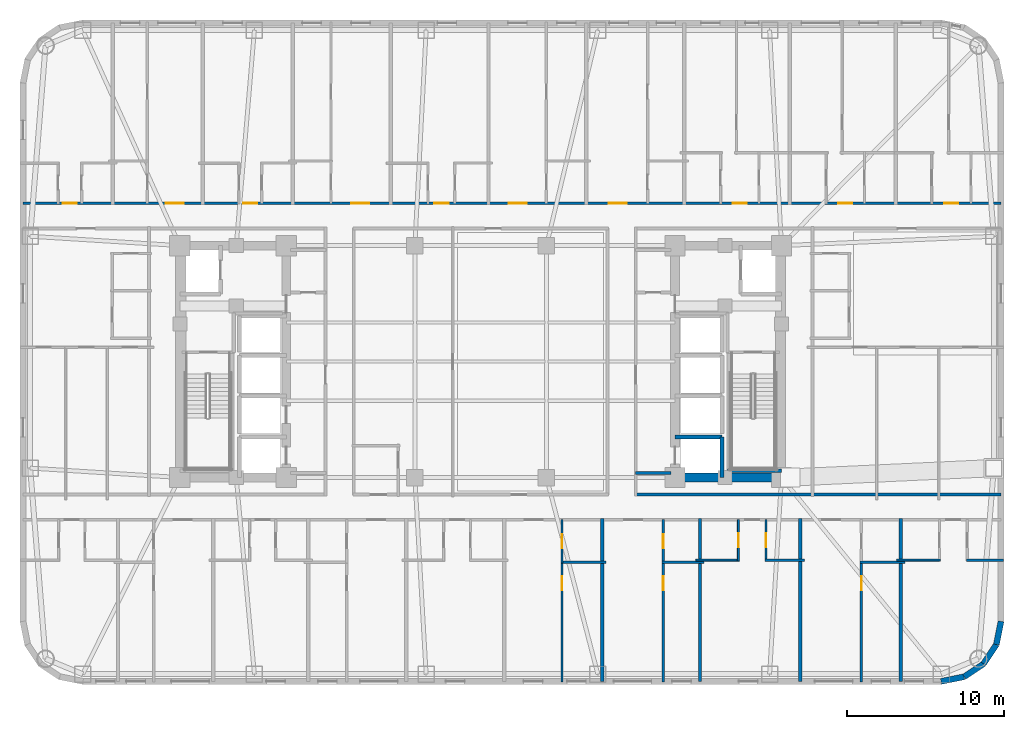
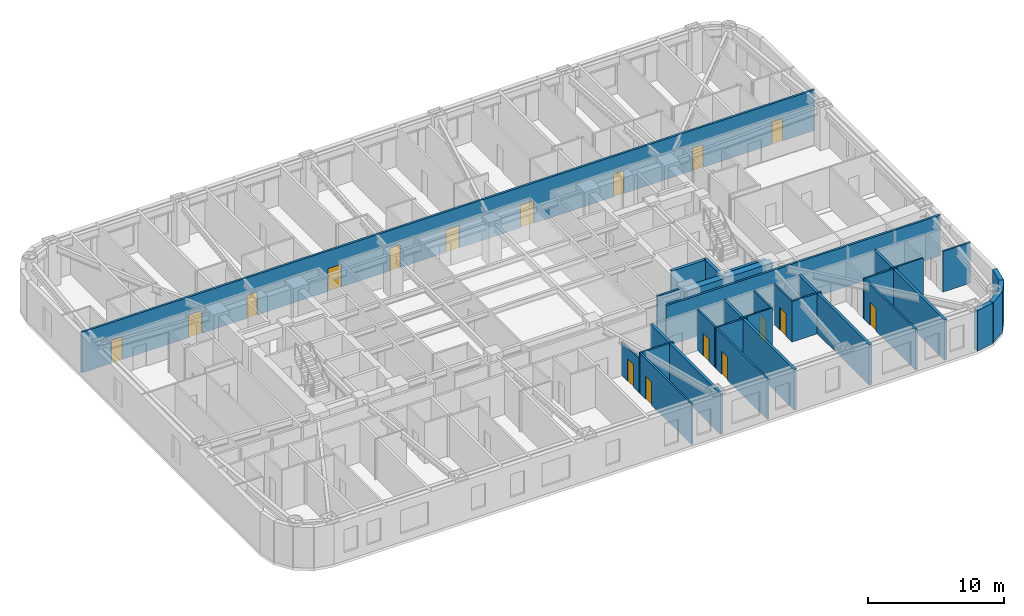
# One storey, part 6 of 13: 29 walls, 17 doors, 17 openings.
"""IFC4 building model written with IfcOpenShell, lengths in metres."""

import ifcopenshell
import ifcopenshell.guid

model = None  # the IFC model being written
_history = None  # IfcOwnerHistory: only IFC2X3 demands one
_inside = {}  # id of a spatial element -> (the spatial element, [elements in it])
_under = {}  # id of a project, library or spatial element -> (it, [spatial elements below it])
_declared = {}  # id of a project -> (the project, [libraries it declares])
_typed = {}  # id of a type object -> (the type object, [elements of that type])
_made_of = {}  # id of a material, layer set ... -> (it, [elements and type objects made of it])


def new_model(schema):
    """Start an empty IFC model of exactly this schema.

    Asked for "IFC4X3", IfcOpenShell would pick the latest addendum, in which some entities
    have other attributes; the version numbers below select the first issue.
    IFC2X3 requires an IfcOwnerHistory on every rooted entity: one is made here for all.
    """
    global model, _history
    if schema == "IFC4X3":
        model = ifcopenshell.file(schema_version=(4, 3, 0, 0))
    else:
        model = ifcopenshell.file(schema=schema)
    _inside.clear()
    _under.clear()
    _declared.clear()
    _typed.clear()
    _made_of.clear()
    _history = None
    if model.schema == "IFC2X3":
        org = make("IfcOrganization", Name="unknown")
        user = make(
            "IfcPersonAndOrganization",
            ThePerson=make("IfcPerson", FamilyName="unknown"),
            TheOrganization=org,
        )
        app = make(
            "IfcApplication",
            ApplicationDeveloper=org,
            Version="unknown",
            ApplicationFullName="unknown",
            ApplicationIdentifier="unknown",
        )
        _history = make(
            "IfcOwnerHistory",
            OwningUser=user,
            OwningApplication=app,
            ChangeAction="ADDED",
            CreationDate=0,
        )
    return model


def make(cls, **values):
    """One entity of the class cls with the attributes given. An attribute that is None is left unset."""
    return model.create_entity(
        cls, **{name: value for name, value in values.items() if value is not None}
    )


def rooted(cls, **values):
    """An entity with a GlobalId (a new one), such as an element, a storey or a relation."""
    return make(cls, GlobalId=ifcopenshell.guid.new(), OwnerHistory=_history, **values)


def si_unit(unit_type, name, prefix=None):
    """IfcSIUnit, for example si_unit("LENGTHUNIT", "METRE", prefix="MILLI")."""
    return make("IfcSIUnit", UnitType=unit_type, Prefix=prefix, Name=name)


def assignment(units):
    """IfcUnitAssignment: the units of a project."""
    return None if units is None else make("IfcUnitAssignment", Units=units)


def point(xyz):
    """IfcCartesianPoint."""
    return None if xyz is None else make("IfcCartesianPoint", Coordinates=xyz)


def direction(xyz):
    """IfcDirection."""
    return None if xyz is None else make("IfcDirection", DirectionRatios=xyz)


def frame(location, z_axis=None, x_axis=None):
    """IfcAxis2Placement3D, a coordinate frame: its origin and axes. An axis left out is left unset."""
    return make(
        "IfcAxis2Placement3D",
        Location=point(location),
        Axis=direction(z_axis),
        RefDirection=direction(x_axis),
    )


def frame_2d(location, x_axis=None):
    """IfcAxis2Placement2D, a coordinate frame in the plane: its origin and x axis."""
    return make(
        "IfcAxis2Placement2D", Location=point(location), RefDirection=direction(x_axis)
    )


def origin():
    """The frame at (0, 0, 0) with its axes left unset."""
    return frame((0.0, 0.0, 0.0))


def place(relative_to, where):
    """IfcLocalPlacement: puts the frame where relative to a parent placement (None: the world)."""
    return make(
        "IfcLocalPlacement", PlacementRelTo=relative_to, RelativePlacement=where
    )


def context(
    kind, dimensions, precision=None, world=None, true_north=None, identifier=None
):
    """IfcGeometricRepresentationContext, for example the 3D "Model" context."""
    return make(
        "IfcGeometricRepresentationContext",
        ContextIdentifier=identifier,
        ContextType=kind,
        CoordinateSpaceDimension=dimensions,
        Precision=precision,
        WorldCoordinateSystem=world,
        TrueNorth=true_north,
    )


def subcontext(parent, identifier, kind, view, scale=None):
    """IfcGeometricRepresentationSubContext, for example "Body" below "Model"."""
    return make(
        "IfcGeometricRepresentationSubContext",
        ContextIdentifier=identifier,
        ContextType=kind,
        ParentContext=parent,
        TargetScale=scale,
        TargetView=view,
    )


def project(units=None, contexts=None):
    """IfcProject with its units and contexts."""
    return rooted(
        "IfcProject",
        Name="project",
        RepresentationContexts=contexts,
        UnitsInContext=assignment(units),
    )


def spatial(cls, under=None, at=None, **own):
    """A site, building, storey or space (cls), placed at a placement, below another one or the project."""
    s = rooted(cls, ObjectPlacement=at, **own)
    if under is not None:
        _under.setdefault(under.id(), (under, []))[1].append(s)
    return s


def profile(cls, at=None, kind="AREA", **sizes):
    """A parametric profile (cls). Its sizes go by their IFC names, for example OverallWidth=200.0."""
    return make(cls, ProfileType=kind, Position=at, **sizes)


def rectangle(**sizes):
    """IfcRectangleProfileDef."""
    return profile("IfcRectangleProfileDef", **sizes)


def extrude(swept, where, along, depth):
    """IfcExtrudedAreaSolid: the profile swept, set in the frame where, extruded along a direction by depth."""
    return make(
        "IfcExtrudedAreaSolid",
        SweptArea=swept,
        Position=where,
        ExtrudedDirection=direction(along),
        Depth=depth,
    )


def shape(context_of_items, identifier, shape_type, items):
    """IfcShapeRepresentation: the items that make up one representation, for example the "Body"."""
    return make(
        "IfcShapeRepresentation",
        ContextOfItems=context_of_items,
        RepresentationIdentifier=identifier,
        RepresentationType=shape_type,
        Items=items,
    )


def material(Name=None, Category=None):
    """IfcMaterial."""
    return make("IfcMaterial", Name=Name, Category=Category)


def layer(
    of_material, thickness, ventilated=None, Name=None, Category=None, Priority=None
):
    """IfcMaterialLayer: one layer of a wall or slab, of a material (None: an air gap)."""
    return make(
        "IfcMaterialLayer",
        Material=of_material,
        LayerThickness=thickness,
        IsVentilated=ventilated,
        Name=Name,
        Category=Category,
        Priority=Priority,
    )


def layer_set(layers, Name=None):
    """IfcMaterialLayerSet."""
    return make("IfcMaterialLayerSet", MaterialLayers=layers, LayerSetName=Name)


def made_of(thing, what):
    """Note that an element or type object is made of a material, layer set ...; save() writes the relation."""
    if what is not None:
        _made_of.setdefault(what.id(), (what, []))[1].append(thing)
    return thing


def type_object(cls, material=None, **own):
    """A type object (cls), such as IfcWallType, which elements share."""
    return made_of(rooted(cls, **own), material)


def element(
    cls,
    number,
    at=None,
    inside=None,
    cuts=None,
    type_object=None,
    material=None,
    context=None,
    identifier="Body",
    shape_type=None,
    held_by="IfcProductDefinitionShape",
    body=None,
    shapes=None,
    **own,
):
    """One element of the class cls, such as IfcWall. Its Tag is "e" and its number.

    at: its placement. inside: the storey or other place that contains it. cuts: it is an
    opening in that element (IfcRelVoidsElement). A single representation is given by context,
    identifier, shape_type and body (its items); several are given by shapes. held_by: the class
    of the entity that holds the representations. save() writes the other relations.
    """
    e = rooted(cls, Tag="e%d" % number, ObjectPlacement=at, **own)
    if body is not None:
        shapes = [shape(context, identifier, shape_type, body)]
    if shapes is not None:
        e.Representation = make(held_by, Representations=shapes)
    if inside is not None:
        _inside.setdefault(inside.id(), (inside, []))[1].append(e)
    if cuts is not None:
        rooted(
            "IfcRelVoidsElement", RelatingBuildingElement=cuts, RelatedOpeningElement=e
        )
    if type_object is not None:
        _typed.setdefault(type_object.id(), (type_object, []))[1].append(e)
    return made_of(e, material)


def fill(opening, filler):
    """IfcRelFillsElement: the door or window that sits in an opening."""
    return rooted(
        "IfcRelFillsElement",
        RelatingOpeningElement=opening,
        RelatedBuildingElement=filler,
    )


def aggregate(whole, parts):
    """IfcRelAggregates: a whole, such as a stair, and the parts it consists of."""
    return rooted("IfcRelAggregates", RelatingObject=whole, RelatedObjects=parts)


def save(model, path):
    """Write the relations noted so far, then the file.

    IfcRelAggregates (storeys below a building ...), IfcRelContainedInSpatialStructure (elements
    in a storey), IfcRelDefinesByType, IfcRelAssociatesMaterial and IfcRelDeclares: one each for
    every whole, place, type object, material and project.
    """
    for whole, parts in _under.values():
        aggregate(whole, parts)
    for where, things in _inside.values():
        rooted(
            "IfcRelContainedInSpatialStructure",
            RelatedElements=things,
            RelatingStructure=where,
        )
    for kind, things in _typed.values():
        rooted("IfcRelDefinesByType", RelatedObjects=things, RelatingType=kind)
    for what, things in _made_of.values():
        rooted("IfcRelAssociatesMaterial", RelatedObjects=things, RelatingMaterial=what)
    for by, libraries in _declared.values():
        rooted("IfcRelDeclares", RelatingContext=by, RelatedDefinitions=libraries)
    model.write(path)


model = new_model("IFC4")

# Units and contexts
model_context = context("Model", 3, precision=1e-05, world=origin(), true_north=direction((0.0, 1.0)))
body_context = subcontext(model_context, "Body", "Model", "MODEL_VIEW")
ifc_project = project(units=[si_unit("LENGTHUNIT", "METRE"), si_unit("AREAUNIT", "SQUARE_METRE"), si_unit("VOLUMEUNIT", "CUBIC_METRE"), si_unit("PLANEANGLEUNIT", "RADIAN"), si_unit("MASSUNIT", "GRAM", prefix="KILO")], contexts=[model_context])

# Site, building, storey
site_placement = place(None, origin())
site = spatial("IfcSite", under=ifc_project, at=site_placement, CompositionType="ELEMENT")
building_placement = place(site_placement, origin())
building = spatial("IfcBuilding", under=site, at=building_placement, Name="Voryun Gate Residences", CompositionType="ELEMENT")
storey_placement = place(building_placement, frame((0.0, 0.0, 124.800048828125)))
storey = spatial("IfcBuildingStorey", under=building, at=storey_placement, Name="L30", CompositionType="ELEMENT", Elevation=124.800048828125)

# Walls
ifc_material_1 = material(Name="Concrete C60/75", Category="concrete")
ifc_layer_1 = layer(ifc_material_1, 0.550048828125, Name="CW_CORE_550")
ifc_layer_set_1 = layer_set([ifc_layer_1], Name="Concrete C60/75")
wall_type_1 = type_object("IfcWallType", Name="CW_CORE_550", PredefinedType="SHEAR", material=ifc_layer_set_1)
wall_1_placement = place(storey_placement, frame((12.125, -7.39990234375, 0.0), z_axis=(0.0, 0.0, 1.0), x_axis=(1.0, 0.0, 0.0)))
element("IfcWall", 1, at=wall_1_placement, inside=storey, type_object=wall_type_1, Name="L30 Core shear wall CW-L30-ES", PredefinedType="SHEAR", context=body_context, shape_type="SweptSolid", body=[
    extrude(rectangle(XDim=7.35009765625, YDim=0.550048828125, at=frame_2d((3.675048828125, 0.0))), origin(), (0.0, 0.0, 1.0), 3.64990234375),
])
ifc_material_2 = material(Name="Gypsum acoustic fireboard")
ifc_layer_2 = layer(ifc_material_2, 0.179931640625, Name="W_CORR_RATED_180")
ifc_layer_set_2 = layer_set([ifc_layer_2], Name="Gypsum acoustic fireboard")
wall_type_2 = type_object("IfcWallType", Name="W_CORR_RATED_180", PredefinedType="PARTITIONING", material=ifc_layer_set_2)
wall_2_placement = place(storey_placement, frame((9.8798828125, -7.1201171875, 0.0), z_axis=(0.0, 0.0, 1.0), x_axis=(1.0, 0.0, 0.0)))
element("IfcWall", 2, at=wall_2_placement, inside=storey, type_object=wall_type_2, Name="Partition wall WP-L30-PLBS-E", PredefinedType="PARTITIONING", context=body_context, shape_type="SweptSolid", body=[
    extrude(rectangle(XDim=2.27001953125, YDim=0.179931640625, at=frame_2d((1.135009765625, 0.0))), origin(), (0.0, 0.0, 1.0), 3.64990234375),
])
wall_3_placement = place(storey_placement, frame((9.8798828125, -8.489990234375, 0.0), z_axis=(0.0, 0.0, 1.0), x_axis=(1.0, 0.0, 0.0)))
element("IfcWall", 3, at=wall_3_placement, inside=storey, type_object=wall_type_2, Name="Partition wall WP-L30-CWING-ES", PredefinedType="PARTITIONING", context=body_context, shape_type="SweptSolid", body=[
    extrude(rectangle(XDim=23.330078125, YDim=0.179931640625, at=frame_2d((11.6650390625, 0.0))), origin(), (0.0, 0.0, 1.0), 3.64990234375),
])

# Wall, openings, doors
wall_4_placement = place(storey_placement, frame((-29.2099609375, 10.10009765625, 0.0), z_axis=(0.0, 0.0, 1.0), x_axis=(1.0, 0.0, 0.0)))
wall_4 = element("IfcWall", 4, at=wall_4_placement, inside=storey, type_object=wall_type_2, Name="Partition wall WP-L30-NCORR", PredefinedType="PARTITIONING", context=body_context, shape_type="SweptSolid", body=[
    extrude(rectangle(XDim=62.419921875, YDim=0.179931640625, at=frame_2d((31.2099609375, 0.0))), origin(), (0.0, 0.0, 1.0), 3.64990234375),
])
opening_1_placement = place(wall_4_placement, frame((2.539794921875, 0.0, 0.0)))
opening_1 = element("IfcOpeningElement", 5, at=opening_1_placement, cuts=wall_4, Name="Opening D-INT-2", PredefinedType="OPENING", context=body_context, shape_type="SweptSolid", body=[
    extrude(rectangle(XDim=0.89990234375, YDim=2.050048828125, at=frame_2d((0.449951171875, 1.02490234375))), frame((0.0, 0.099853515625, 0.0), z_axis=(0.0, -1.0, 0.0), x_axis=(1.0, 0.0, 0.0)), (0.0, 0.0, 1.0), 0.199951171875),
])
opening_2_placement = place(wall_4_placement, frame((9.10009765625, 0.0, 0.0)))
opening_2 = element("IfcOpeningElement", 6, at=opening_2_placement, cuts=wall_4, Name="Opening D-UNIT-1", PredefinedType="OPENING", context=body_context, shape_type="SweptSolid", body=[
    extrude(rectangle(XDim=1.14990234375, YDim=2.050048828125, at=frame_2d((0.574951171875, 1.02490234375))), frame((0.0, 0.099853515625, 0.0), z_axis=(0.0, -1.0, 0.0), x_axis=(1.0, 0.0, 0.0)), (0.0, 0.0, 1.0), 0.199951171875),
])
opening_3_placement = place(wall_4_placement, frame((14.062744140625, 0.0, 0.0)))
opening_3 = element("IfcOpeningElement", 7, at=opening_3_placement, cuts=wall_4, Name="Opening D-INT-2", PredefinedType="OPENING", context=body_context, shape_type="SweptSolid", body=[
    extrude(rectangle(XDim=0.89990234375, YDim=2.050048828125, at=frame_2d((0.449951171875, 1.02490234375))), frame((0.0, 0.099853515625, 0.0), z_axis=(0.0, -1.0, 0.0), x_axis=(1.0, 0.0, 0.0)), (0.0, 0.0, 1.0), 0.199951171875),
])
opening_4_placement = place(wall_4_placement, frame((20.95361328125, 0.0, 0.0)))
opening_4 = element("IfcOpeningElement", 8, at=opening_4_placement, cuts=wall_4, Name="Opening D-UNIT-1", PredefinedType="OPENING", context=body_context, shape_type="SweptSolid", body=[
    extrude(rectangle(XDim=1.14990234375, YDim=2.050048828125, at=frame_2d((0.574951171875, 1.02490234375))), frame((0.0, 0.099853515625, 0.0), z_axis=(0.0, -1.0, 0.0), x_axis=(1.0, 0.0, 0.0)), (0.0, 0.0, 1.0), 0.199951171875),
])
opening_5_placement = place(wall_4_placement, frame((26.259521484375, 0.0, 0.0)))
opening_5 = element("IfcOpeningElement", 9, at=opening_5_placement, cuts=wall_4, Name="Opening D-INT-2", PredefinedType="OPENING", context=body_context, shape_type="SweptSolid", body=[
    extrude(rectangle(XDim=0.89990234375, YDim=2.050048828125, at=frame_2d((0.449951171875, 1.02490234375))), frame((0.0, 0.099853515625, 0.0), z_axis=(0.0, -1.0, 0.0), x_axis=(1.0, 0.0, 0.0)), (0.0, 0.0, 1.0), 0.199951171875),
])
opening_6_placement = place(wall_4_placement, frame((31.009521484375, 0.0, 0.0)))
opening_6 = element("IfcOpeningElement", 10, at=opening_6_placement, cuts=wall_4, Name="Opening D-UNIT-1", PredefinedType="OPENING", context=body_context, shape_type="SweptSolid", body=[
    extrude(rectangle(XDim=1.14990234375, YDim=2.050048828125, at=frame_2d((0.574951171875, 1.02490234375))), frame((0.0, 0.099853515625, 0.0), z_axis=(0.0, -1.0, 0.0), x_axis=(1.0, 0.0, 0.0)), (0.0, 0.0, 1.0), 0.199951171875),
])
opening_7_placement = place(wall_4_placement, frame((37.3701171875, 0.0, 0.0)))
opening_7 = element("IfcOpeningElement", 11, at=opening_7_placement, cuts=wall_4, Name="Opening D-UNIT-1", PredefinedType="OPENING", context=body_context, shape_type="SweptSolid", body=[
    extrude(rectangle(XDim=1.14990234375, YDim=2.050048828125, at=frame_2d((0.574951171875, 1.02490234375))), frame((0.0, 0.099853515625, 0.0), z_axis=(0.0, -1.0, 0.0), x_axis=(1.0, 0.0, 0.0)), (0.0, 0.0, 1.0), 0.199951171875),
])
opening_8_placement = place(wall_4_placement, frame((45.297607421875, 0.0, 0.0)))
opening_8 = element("IfcOpeningElement", 12, at=opening_8_placement, cuts=wall_4, Name="Opening D-INT-2", PredefinedType="OPENING", context=body_context, shape_type="SweptSolid", body=[
    extrude(rectangle(XDim=0.89990234375, YDim=2.050048828125, at=frame_2d((0.449951171875, 1.02490234375))), frame((0.0, 0.099853515625, 0.0), z_axis=(0.0, -1.0, 0.0), x_axis=(1.0, 0.0, 0.0)), (0.0, 0.0, 1.0), 0.199951171875),
])
opening_9_placement = place(wall_4_placement, frame((52.03271484375, 0.0, 0.0)))
opening_9 = element("IfcOpeningElement", 13, at=opening_9_placement, cuts=wall_4, Name="Opening D-INT-2", PredefinedType="OPENING", context=body_context, shape_type="SweptSolid", body=[
    extrude(rectangle(XDim=0.89990234375, YDim=2.050048828125, at=frame_2d((0.449951171875, 1.02490234375))), frame((0.0, 0.099853515625, 0.0), z_axis=(0.0, -1.0, 0.0), x_axis=(1.0, 0.0, 0.0)), (0.0, 0.0, 1.0), 0.199951171875),
])
opening_10_placement = place(wall_4_placement, frame((58.805419921875, 0.0, 0.0)))
opening_10 = element("IfcOpeningElement", 14, at=opening_10_placement, cuts=wall_4, Name="Opening D-INT-2", PredefinedType="OPENING", context=body_context, shape_type="SweptSolid", body=[
    extrude(rectangle(XDim=0.89990234375, YDim=2.050048828125, at=frame_2d((0.449951171875, 1.02490234375))), frame((0.0, 0.099853515625, 0.0), z_axis=(0.0, -1.0, 0.0), x_axis=(1.0, 0.0, 0.0)), (0.0, 0.0, 1.0), 0.199951171875),
])
ifc_material_3 = material(Name="Architectural oak veneer")
door_type_1 = type_object("IfcDoorType", Name="DR_INT_BATH_900", OperationType="NOTDEFINED", PredefinedType="DOOR", material=ifc_material_3)
door_1_placement = place(opening_1_placement, origin())
door_1 = element("IfcDoor", 15, at=door_1_placement, inside=storey, type_object=door_type_1, Name="Door DR-L30-NENT-1", OperationType="SINGLE_SWING_LEFT", OverallHeight=2.050048828125, OverallWidth=0.89990234375, PredefinedType="DOOR", context=body_context, shape_type="SweptSolid", body=[
    extrude(rectangle(XDim=0.89990234375, YDim=2.050048828125, at=frame_2d((0.449951171875, 1.02490234375))), frame((0.0, 0.02490234375, 0.0), z_axis=(0.0, -1.0, 0.0), x_axis=(1.0, 0.0, 0.0)), (0.0, 0.0, 1.0), 0.050048828125),
])
fill(opening_1, door_1)
door_2_placement = place(opening_3_placement, origin())
door_2 = element("IfcDoor", 16, at=door_2_placement, inside=storey, type_object=door_type_1, Name="Door DR-L30-NENT-3", OperationType="SINGLE_SWING_LEFT", OverallHeight=2.050048828125, OverallWidth=0.89990234375, PredefinedType="DOOR", context=body_context, shape_type="SweptSolid", body=[
    extrude(rectangle(XDim=0.89990234375, YDim=2.050048828125, at=frame_2d((0.449951171875, 1.02490234375))), frame((0.0, 0.02490234375, 0.0), z_axis=(0.0, -1.0, 0.0), x_axis=(1.0, 0.0, 0.0)), (0.0, 0.0, 1.0), 0.050048828125),
])
fill(opening_3, door_2)
door_3_placement = place(opening_5_placement, origin())
door_3 = element("IfcDoor", 17, at=door_3_placement, inside=storey, type_object=door_type_1, Name="Door DR-L30-NENT-5", OperationType="SINGLE_SWING_LEFT", OverallHeight=2.050048828125, OverallWidth=0.89990234375, PredefinedType="DOOR", context=body_context, shape_type="SweptSolid", body=[
    extrude(rectangle(XDim=0.89990234375, YDim=2.050048828125, at=frame_2d((0.449951171875, 1.02490234375))), frame((0.0, 0.02490234375, 0.0), z_axis=(0.0, -1.0, 0.0), x_axis=(1.0, 0.0, 0.0)), (0.0, 0.0, 1.0), 0.050048828125),
])
fill(opening_5, door_3)
door_4_placement = place(opening_8_placement, origin())
door_4 = element("IfcDoor", 18, at=door_4_placement, inside=storey, type_object=door_type_1, Name="Door DR-L30-NENT-8", OperationType="SINGLE_SWING_RIGHT", OverallHeight=2.050048828125, OverallWidth=0.89990234375, PredefinedType="DOOR", context=body_context, shape_type="SweptSolid", body=[
    extrude(rectangle(XDim=0.89990234375, YDim=2.050048828125, at=frame_2d((0.449951171875, 1.02490234375))), frame((0.0, 0.02490234375, 0.0), z_axis=(0.0, -1.0, 0.0), x_axis=(1.0, 0.0, 0.0)), (0.0, 0.0, 1.0), 0.050048828125),
])
fill(opening_8, door_4)
door_5_placement = place(opening_9_placement, origin())
door_5 = element("IfcDoor", 19, at=door_5_placement, inside=storey, type_object=door_type_1, Name="Door DR-L30-NENT-9", OperationType="SINGLE_SWING_LEFT", OverallHeight=2.050048828125, OverallWidth=0.89990234375, PredefinedType="DOOR", context=body_context, shape_type="SweptSolid", body=[
    extrude(rectangle(XDim=0.89990234375, YDim=2.050048828125, at=frame_2d((0.449951171875, 1.02490234375))), frame((0.0, 0.02490234375, 0.0), z_axis=(0.0, -1.0, 0.0), x_axis=(1.0, 0.0, 0.0)), (0.0, 0.0, 1.0), 0.050048828125),
])
fill(opening_9, door_5)
door_6_placement = place(opening_10_placement, origin())
door_6 = element("IfcDoor", 20, at=door_6_placement, inside=storey, type_object=door_type_1, Name="Door DR-L30-NENT-10", OperationType="SINGLE_SWING_RIGHT", OverallHeight=2.050048828125, OverallWidth=0.89990234375, PredefinedType="DOOR", context=body_context, shape_type="SweptSolid", body=[
    extrude(rectangle(XDim=0.89990234375, YDim=2.050048828125, at=frame_2d((0.449951171875, 1.02490234375))), frame((0.0, 0.02490234375, 0.0), z_axis=(0.0, -1.0, 0.0), x_axis=(1.0, 0.0, 0.0)), (0.0, 0.0, 1.0), 0.050048828125),
])
fill(opening_10, door_6)
ifc_material_4 = material(Name="Armoured timber-clad fire door", Category="wood")
door_type_2 = type_object("IfcDoorType", Name="DR_UNIT_ENTRY_1150", OperationType="NOTDEFINED", PredefinedType="DOOR", material=ifc_material_4)
door_7_placement = place(opening_2_placement, origin())
door_7 = element("IfcDoor", 21, at=door_7_placement, inside=storey, type_object=door_type_2, Name="Door DR-L30-NENT-2", OperationType="SINGLE_SWING_RIGHT", OverallHeight=2.050048828125, OverallWidth=1.14990234375, PredefinedType="DOOR", context=body_context, shape_type="SweptSolid", body=[
    extrude(rectangle(XDim=1.14990234375, YDim=2.050048828125, at=frame_2d((0.574951171875, 1.02490234375))), frame((0.0, 0.02490234375, 0.0), z_axis=(0.0, -1.0, 0.0), x_axis=(1.0, 0.0, 0.0)), (0.0, 0.0, 1.0), 0.050048828125),
])
fill(opening_2, door_7)
door_8_placement = place(opening_4_placement, origin())
door_8 = element("IfcDoor", 22, at=door_8_placement, inside=storey, type_object=door_type_2, Name="Door DR-L30-NENT-4", OperationType="SINGLE_SWING_RIGHT", OverallHeight=2.050048828125, OverallWidth=1.14990234375, PredefinedType="DOOR", context=body_context, shape_type="SweptSolid", body=[
    extrude(rectangle(XDim=1.14990234375, YDim=2.050048828125, at=frame_2d((0.574951171875, 1.02490234375))), frame((0.0, 0.02490234375, 0.0), z_axis=(0.0, -1.0, 0.0), x_axis=(1.0, 0.0, 0.0)), (0.0, 0.0, 1.0), 0.050048828125),
])
fill(opening_4, door_8)
door_9_placement = place(opening_6_placement, origin())
door_9 = element("IfcDoor", 23, at=door_9_placement, inside=storey, type_object=door_type_2, Name="Door DR-L30-NENT-6", OperationType="SINGLE_SWING_RIGHT", OverallHeight=2.050048828125, OverallWidth=1.14990234375, PredefinedType="DOOR", context=body_context, shape_type="SweptSolid", body=[
    extrude(rectangle(XDim=1.14990234375, YDim=2.050048828125, at=frame_2d((0.574951171875, 1.02490234375))), frame((0.0, 0.02490234375, 0.0), z_axis=(0.0, -1.0, 0.0), x_axis=(1.0, 0.0, 0.0)), (0.0, 0.0, 1.0), 0.050048828125),
])
fill(opening_6, door_9)
door_10_placement = place(opening_7_placement, origin())
door_10 = element("IfcDoor", 24, at=door_10_placement, inside=storey, type_object=door_type_2, Name="Door DR-L30-NENT-7", OperationType="SINGLE_SWING_LEFT", OverallHeight=2.050048828125, OverallWidth=1.14990234375, PredefinedType="DOOR", context=body_context, shape_type="SweptSolid", body=[
    extrude(rectangle(XDim=1.14990234375, YDim=2.050048828125, at=frame_2d((0.574951171875, 1.02490234375))), frame((0.0, 0.02490234375, 0.0), z_axis=(0.0, -1.0, 0.0), x_axis=(1.0, 0.0, 0.0)), (0.0, 0.0, 1.0), 0.050048828125),
])
fill(opening_7, door_10)

# Walls
ifc_material_5 = material(Name="Granite masonry", Category="masonry")
ifc_layer_3 = layer(ifc_material_5, 0.3798828125, Name="W_EXT_GRANITE_380")
ifc_layer_set_3 = layer_set([ifc_layer_3], Name="Granite masonry")
wall_type_3 = type_object("IfcWallType", Name="W_EXT_GRANITE_380", PredefinedType="ELEMENTEDWALL", material=ifc_layer_set_3)
wall_5_placement = place(storey_placement, frame((33.2099609375, -16.581298828125, 0.0), z_axis=(0.0, 0.0, 1.0), x_axis=(-0.195086038585, -0.980786132421, 0.0)))
element("IfcWall", 25, at=wall_5_placement, inside=storey, type_object=wall_type_3, Name="Exterior wall WEXT-L30-17", PredefinedType="ELEMENTEDWALL", context=body_context, shape_type="SweptSolid", body=[
    extrude(rectangle(XDim=1.504150390625, YDim=0.3798828125, at=frame_2d((0.751953125, 0.0))), origin(), (0.0, 0.0, 1.0), 3.64990234375),
])
wall_6_placement = place(storey_placement, frame((32.91650390625, -18.056640625, 0.0), z_axis=(0.0, 0.0, 1.0), x_axis=(-0.555610286119, -0.831442848281, 0.0)))
element("IfcWall", 26, at=wall_6_placement, inside=storey, type_object=wall_type_3, Name="Exterior wall WEXT-L30-18", PredefinedType="ELEMENTEDWALL", context=body_context, shape_type="SweptSolid", body=[
    extrude(rectangle(XDim=1.485107421875, YDim=0.3798828125, at=frame_2d((0.74267578125, 0.0))), origin(), (0.0, 0.0, 1.0), 3.64990234375),
])
wall_7_placement = place(storey_placement, frame((32.09130859375, -19.29150390625, 0.0), z_axis=(0.0, 0.0, 1.0), x_axis=(-0.831468045563, -0.555572577804, 0.0)))
element("IfcWall", 27, at=wall_7_placement, inside=storey, type_object=wall_type_3, Name="Exterior wall WEXT-L30-19", PredefinedType="ELEMENTEDWALL", context=body_context, shape_type="SweptSolid", body=[
    extrude(rectangle(XDim=1.48486328125, YDim=0.3798828125, at=frame_2d((0.742431640625, 0.0))), origin(), (0.0, 0.0, 1.0), 3.64990234375),
])
wall_8_placement = place(storey_placement, frame((30.856689453125, -20.116455078125, 0.0), z_axis=(0.0, 0.0, 1.0), x_axis=(-0.980786132421, -0.195086038585, 0.0)))
element("IfcWall", 28, at=wall_8_placement, inside=storey, type_object=wall_type_3, Name="Exterior wall WEXT-L30-20", PredefinedType="ELEMENTEDWALL", context=body_context, shape_type="SweptSolid", body=[
    extrude(rectangle(XDim=1.504150390625, YDim=0.3798828125, at=frame_2d((0.751953125, 0.0))), origin(), (0.0, 0.0, 1.0), 3.64990234375),
])
ifc_material_6 = material(Name="Concrete C40/50", Category="concrete")
ifc_layer_4 = layer(ifc_material_6, 0.219970703125, Name="W_PARTY_ACOUSTIC_220")
ifc_layer_set_4 = layer_set([ifc_layer_4], Name="Concrete C40/50")
wall_type_4 = type_object("IfcWallType", Name="W_PARTY_ACOUSTIC_220", PredefinedType="PARTITIONING", material=ifc_layer_set_4)
for number, where, z_axis, x_axis, name in (
    (29, (7.75, -20.409912109375, 0.0), (0.0, 0.0, 1.0), (0.0, 1.0, 0.0), "Partition wall WP-L30-SPTY-6"),
    (30, (14.0, -20.409912109375, 0.0), (0.0, 0.0, 1.0), (0.0, 1.0, 0.0), "Partition wall WP-L30-SPTY-7"),
    (31, (20.406005859375, -20.409912109375, 0.0), (0.0, 0.0, 1.0), (0.0, 1.0, 0.0), "Partition wall WP-L30-SPTY-8"),
    (32, (26.81201171875, -20.409912109375, 0.0), (0.0, 0.0, 1.0), (0.0, 1.0, 0.0), "Partition wall WP-L30-SPTY-9"),
):
    element("IfcWall", number, at=place(storey_placement, frame(where, z_axis=z_axis, x_axis=x_axis)), inside=storey, type_object=wall_type_4, Name=name, PredefinedType="PARTITIONING", context=body_context, shape_type="SweptSolid", body=[
        extrude(rectangle(XDim=10.389892578125, YDim=0.219970703125, at=frame_2d((5.19482421875, 0.0))), origin(), (0.0, 0.0, 1.0), 3.64990234375),
    ])
ifc_material_7 = material(Name="Concrete C50/60", Category="concrete")
ifc_layer_5 = layer(ifc_material_7, 0.25, Name="W_SHAFT_RC250")
ifc_layer_set_5 = layer_set([ifc_layer_5], Name="Concrete C50/60")
wall_type_5 = type_object("IfcWallType", Name="W_SHAFT_RC250", PredefinedType="SOLIDWALL", material=ifc_layer_set_5)
wall_9_placement = place(storey_placement, frame((15.739990234375, -6.965087890625, 0.0), z_axis=(0.0, 0.0, 1.0), x_axis=(1.0, 0.0, 0.0)))
element("IfcWall", 33, at=wall_9_placement, inside=storey, type_object=wall_type_5, Name="L30 Stair shaft structural wall E-STS", PredefinedType="SOLIDWALL", context=body_context, shape_type="SweptSolid", body=[
    extrude(rectangle(XDim=3.4599609375, YDim=0.25, at=frame_2d((1.72998046875, 0.0))), origin(), (0.0, 0.0, 1.0), 3.64990234375),
])
wall_10_placement = place(storey_placement, frame((15.39990234375, -7.39990234375, 0.0), z_axis=(0.0, 0.0, 1.0), x_axis=(0.0, 1.0, 0.0)))
element("IfcWall", 34, at=wall_10_placement, inside=storey, type_object=wall_type_5, Name="Lift shaft wall WSH-L30-EL-P3-E", PredefinedType="SOLIDWALL", context=body_context, shape_type="SweptSolid", body=[
    extrude(rectangle(XDim=2.599853515625, YDim=0.25, at=frame_2d((1.2998046875, 0.0))), origin(), (0.0, 0.0, 1.0), 3.64990234375),
])
wall_11_placement = place(storey_placement, frame((15.39990234375, -4.800048828125, 0.0), z_axis=(0.0, 0.0, 1.0), x_axis=(-1.0, 0.0, 0.0)))
element("IfcWall", 35, at=wall_11_placement, inside=storey, type_object=wall_type_5, Name="Lift shaft wall WSH-L30-EL-P3-N", PredefinedType="SOLIDWALL", context=body_context, shape_type="SweptSolid", body=[
    extrude(rectangle(XDim=3.0, YDim=0.25, at=frame_2d((1.5, 0.0))), origin(), (0.0, 0.0, 1.0), 3.64990234375),
])

# Wall, opening, door
ifc_material_8 = material(Name="Gypsum acoustic partition")
ifc_layer_6 = layer(ifc_material_8, 0.125, Name="W_UNIT_PART_125")
ifc_layer_set_6 = layer_set([ifc_layer_6], Name="Gypsum acoustic partition")
wall_type_6 = type_object("IfcWallType", Name="W_UNIT_PART_125", PredefinedType="PARTITIONING", material=ifc_layer_set_6)
wall_12_placement = place(storey_placement, frame((16.448974609375, -12.72998046875, 0.0), z_axis=(0.0, 0.0, 1.0), x_axis=(0.0, 1.0, 0.0)))
wall_12 = element("IfcWall", 36, at=wall_12_placement, inside=storey, type_object=wall_type_6, Name="Partition wall WP-L30-S8-CVK", PredefinedType="PARTITIONING", context=body_context, shape_type="SweptSolid", body=[
    extrude(rectangle(XDim=2.64990234375, YDim=0.125, at=frame_2d((1.324951171875, 0.0))), origin(), (0.0, 0.0, 1.0), 3.64990234375),
])
opening_11_placement = place(wall_12_placement, frame((0.875, 0.0, 0.0)))
opening_11 = element("IfcOpeningElement", 37, at=opening_11_placement, cuts=wall_12, Name="Opening D-INT-2", PredefinedType="OPENING", context=body_context, shape_type="SweptSolid", body=[
    extrude(rectangle(XDim=0.89990234375, YDim=2.050048828125, at=frame_2d((0.449951171875, 1.02490234375))), frame((0.0, 0.072509765625, 0.0), z_axis=(0.0, -1.0, 0.0), x_axis=(1.0, 0.0, 0.0)), (0.0, 0.0, 1.0), 0.14501953125),
])
door_11_placement = place(opening_11_placement, origin())
door_11 = element("IfcDoor", 38, at=door_11_placement, inside=storey, type_object=door_type_1, Name="Door DR-L30-S8-DK", OperationType="SINGLE_SWING_LEFT", OverallHeight=2.050048828125, OverallWidth=0.89990234375, PredefinedType="DOOR", context=body_context, shape_type="SweptSolid", body=[
    extrude(rectangle(XDim=0.89990234375, YDim=2.050048828125, at=frame_2d((0.449951171875, 1.02490234375))), frame((0.0, 0.02490234375, 0.0), z_axis=(0.0, -1.0, 0.0), x_axis=(1.0, 0.0, 0.0)), (0.0, 0.0, 1.0), 0.050048828125),
])
fill(opening_11, door_11)

# Walls
wall_13_placement = place(storey_placement, frame((13.739990234375, -12.669921875, 0.0), z_axis=(0.0, 0.0, 1.0), x_axis=(1.0, 0.0, 0.0)))
element("IfcWall", 39, at=wall_13_placement, inside=storey, type_object=wall_type_6, Name="Partition wall WP-L30-S8-CHK", PredefinedType="PARTITIONING", context=body_context, shape_type="SweptSolid", body=[
    extrude(rectangle(XDim=2.76904296875, YDim=0.125, at=frame_2d((1.384521484375, 0.0))), origin(), (0.0, 0.0, 1.0), 3.64990234375),
])
wall_14_placement = place(storey_placement, frame((26.552001953125, -12.669921875, 0.0), z_axis=(0.0, 0.0, 1.0), x_axis=(1.0, 0.0, 0.0)))
element("IfcWall", 40, at=wall_14_placement, inside=storey, type_object=wall_type_6, Name="Partition wall WP-L30-S10-CHK", PredefinedType="PARTITIONING", context=body_context, shape_type="SweptSolid", body=[
    extrude(rectangle(XDim=2.791015625, YDim=0.125, at=frame_2d((1.3955078125, 0.0))), origin(), (0.0, 0.0, 1.0), 3.64990234375),
])
ifc_material_9 = material(Name="Gypsum moisture-resistant partition")
ifc_layer_7 = layer(ifc_material_9, 0.14990234375, Name="W_WET_PLUMB_150")
ifc_layer_set_7 = layer_set([ifc_layer_7], Name="Gypsum moisture-resistant partition")
wall_type_7 = type_object("IfcWallType", Name="W_WET_PLUMB_150", PredefinedType="PLUMBINGWALL", material=ifc_layer_set_7)
wall_15_placement = place(storey_placement, frame((5.114990234375, -12.800048828125, 0.0), z_axis=(0.0, 0.0, 1.0), x_axis=(1.0, 0.0, 0.0)))
element("IfcWall", 41, at=wall_15_placement, inside=storey, type_object=wall_type_7, Name="Partition wall WP-L30-S6-SKB", PredefinedType="PLUMBINGWALL", context=body_context, shape_type="SweptSolid", body=[
    extrude(rectangle(XDim=2.89501953125, YDim=0.14990234375, at=frame_2d((1.447509765625, 0.0))), origin(), (0.0, 0.0, 1.0), 3.64990234375),
])

# Wall, opening, door
wall_16_placement = place(storey_placement, frame((5.195068359375, -20.45751953125, 0.0), z_axis=(0.0, 0.0, 1.0), x_axis=(0.0, 1.0, 0.0)))
wall_16 = element("IfcWall", 42, at=wall_16_placement, inside=storey, type_object=wall_type_7, Name="Partition wall WP-L30-S6-SVT1", PredefinedType="PLUMBINGWALL", context=body_context, shape_type="SweptSolid", body=[
    extrude(rectangle(XDim=7.697509765625, YDim=0.14990234375, at=frame_2d((3.8486328125, 0.0))), origin(), (0.0, 0.0, 1.0), 3.64990234375),
])
opening_12_placement = place(wall_16_placement, frame((5.862060546875, 0.0, 0.0)))
opening_12 = element("IfcOpeningElement", 43, at=opening_12_placement, cuts=wall_16, Name="Opening D-INT-2", PredefinedType="OPENING", context=body_context, shape_type="SweptSolid", body=[
    extrude(rectangle(XDim=0.89990234375, YDim=2.050048828125, at=frame_2d((0.449951171875, 1.02490234375))), frame((0.0, 0.0849609375, 0.0), z_axis=(0.0, -1.0, 0.0), x_axis=(1.0, 0.0, 0.0)), (0.0, 0.0, 1.0), 0.169921875),
])
door_12_placement = place(opening_12_placement, origin())
door_12 = element("IfcDoor", 44, at=door_12_placement, inside=storey, type_object=door_type_1, Name="Door DR-L30-S6-DK", OperationType="SINGLE_SWING_LEFT", OverallHeight=2.050048828125, OverallWidth=0.89990234375, PredefinedType="DOOR", context=body_context, shape_type="SweptSolid", body=[
    extrude(rectangle(XDim=0.89990234375, YDim=2.050048828125, at=frame_2d((0.449951171875, 1.02490234375))), frame((0.0, 0.02490234375, 0.0), z_axis=(0.0, -1.0, 0.0), x_axis=(1.0, 0.0, 0.0)), (0.0, 0.0, 1.0), 0.050048828125),
])
fill(opening_12, door_12)

wall_17_placement = place(storey_placement, frame((5.195068359375, -12.840087890625, 0.0), z_axis=(0.0, 0.0, 1.0), x_axis=(0.0, 1.0, 0.0)))
wall_17 = element("IfcWall", 45, at=wall_17_placement, inside=storey, type_object=wall_type_7, Name="Partition wall WP-L30-S6-SVT2", PredefinedType="PLUMBINGWALL", context=body_context, shape_type="SweptSolid", body=[
    extrude(rectangle(XDim=2.760009765625, YDim=0.14990234375, at=frame_2d((1.3798828125, 0.0))), origin(), (0.0, 0.0, 1.0), 3.0400390625),
])
opening_13_placement = place(wall_17_placement, frame((0.929931640625, 0.0, 0.0)))
opening_13 = element("IfcOpeningElement", 46, at=opening_13_placement, cuts=wall_17, Name="Opening D-INT-2", PredefinedType="OPENING", context=body_context, shape_type="SweptSolid", body=[
    extrude(rectangle(XDim=0.89990234375, YDim=2.050048828125, at=frame_2d((0.449951171875, 1.02490234375))), frame((0.0, 0.0849609375, 0.0), z_axis=(0.0, -1.0, 0.0), x_axis=(1.0, 0.0, 0.0)), (0.0, 0.0, 1.0), 0.169921875),
])
door_13_placement = place(opening_13_placement, origin())
door_13 = element("IfcDoor", 47, at=door_13_placement, inside=storey, type_object=door_type_1, Name="Door DR-L30-S6-DB", OperationType="SINGLE_SWING_RIGHT", OverallHeight=2.050048828125, OverallWidth=0.89990234375, PredefinedType="DOOR", context=body_context, shape_type="SweptSolid", body=[
    extrude(rectangle(XDim=0.89990234375, YDim=2.050048828125, at=frame_2d((0.449951171875, 1.02490234375))), frame((0.0, 0.02490234375, 0.0), z_axis=(0.0, -1.0, 0.0), x_axis=(1.0, 0.0, 0.0)), (0.0, 0.0, 1.0), 0.050048828125),
])
fill(opening_13, door_13)

# Wall
wall_18_placement = place(storey_placement, frame((11.573974609375, -12.800048828125, 0.0), z_axis=(0.0, 0.0, 1.0), x_axis=(1.0, 0.0, 0.0)))
element("IfcWall", 48, at=wall_18_placement, inside=storey, type_object=wall_type_7, Name="Partition wall WP-L30-S7-SKB", PredefinedType="PLUMBINGWALL", context=body_context, shape_type="SweptSolid", body=[
    extrude(rectangle(XDim=2.68603515625, YDim=0.14990234375, at=frame_2d((1.343017578125, 0.0))), origin(), (0.0, 0.0, 1.0), 3.64990234375),
])

# Wall, opening, door
wall_19_placement = place(storey_placement, frame((11.654052734375, -20.45751953125, 0.0), z_axis=(0.0, 0.0, 1.0), x_axis=(0.0, 1.0, 0.0)))
wall_19 = element("IfcWall", 49, at=wall_19_placement, inside=storey, type_object=wall_type_7, Name="Partition wall WP-L30-S7-SVT1", PredefinedType="PLUMBINGWALL", context=body_context, shape_type="SweptSolid", body=[
    extrude(rectangle(XDim=7.697509765625, YDim=0.14990234375, at=frame_2d((3.8486328125, 0.0))), origin(), (0.0, 0.0, 1.0), 3.64990234375),
])
opening_14_placement = place(wall_19_placement, frame((5.862060546875, 0.0, 0.0)))
opening_14 = element("IfcOpeningElement", 50, at=opening_14_placement, cuts=wall_19, Name="Opening D-INT-2", PredefinedType="OPENING", context=body_context, shape_type="SweptSolid", body=[
    extrude(rectangle(XDim=0.89990234375, YDim=2.050048828125, at=frame_2d((0.449951171875, 1.02490234375))), frame((0.0, 0.0849609375, 0.0), z_axis=(0.0, -1.0, 0.0), x_axis=(1.0, 0.0, 0.0)), (0.0, 0.0, 1.0), 0.169921875),
])
door_14_placement = place(opening_14_placement, origin())
door_14 = element("IfcDoor", 51, at=door_14_placement, inside=storey, type_object=door_type_1, Name="Door DR-L30-S7-DK", OperationType="SINGLE_SWING_LEFT", OverallHeight=2.050048828125, OverallWidth=0.89990234375, PredefinedType="DOOR", context=body_context, shape_type="SweptSolid", body=[
    extrude(rectangle(XDim=0.89990234375, YDim=2.050048828125, at=frame_2d((0.449951171875, 1.02490234375))), frame((0.0, 0.02490234375, 0.0), z_axis=(0.0, -1.0, 0.0), x_axis=(1.0, 0.0, 0.0)), (0.0, 0.0, 1.0), 0.050048828125),
])
fill(opening_14, door_14)

wall_20_placement = place(storey_placement, frame((11.654052734375, -12.840087890625, 0.0), z_axis=(0.0, 0.0, 1.0), x_axis=(0.0, 1.0, 0.0)))
wall_20 = element("IfcWall", 52, at=wall_20_placement, inside=storey, type_object=wall_type_7, Name="Partition wall WP-L30-S7-SVT2", PredefinedType="PLUMBINGWALL", context=body_context, shape_type="SweptSolid", body=[
    extrude(rectangle(XDim=2.760009765625, YDim=0.14990234375, at=frame_2d((1.3798828125, 0.0))), origin(), (0.0, 0.0, 1.0), 3.64990234375),
])
opening_15_placement = place(wall_20_placement, frame((0.929931640625, 0.0, 0.0)))
opening_15 = element("IfcOpeningElement", 53, at=opening_15_placement, cuts=wall_20, Name="Opening D-INT-2", PredefinedType="OPENING", context=body_context, shape_type="SweptSolid", body=[
    extrude(rectangle(XDim=0.89990234375, YDim=2.050048828125, at=frame_2d((0.449951171875, 1.02490234375))), frame((0.0, 0.0849609375, 0.0), z_axis=(0.0, -1.0, 0.0), x_axis=(1.0, 0.0, 0.0)), (0.0, 0.0, 1.0), 0.169921875),
])
door_15_placement = place(opening_15_placement, origin())
door_15 = element("IfcDoor", 54, at=door_15_placement, inside=storey, type_object=door_type_1, Name="Door DR-L30-S7-DB", OperationType="SINGLE_SWING_RIGHT", OverallHeight=2.050048828125, OverallWidth=0.89990234375, PredefinedType="DOOR", context=body_context, shape_type="SweptSolid", body=[
    extrude(rectangle(XDim=0.89990234375, YDim=2.050048828125, at=frame_2d((0.449951171875, 1.02490234375))), frame((0.0, 0.02490234375, 0.0), z_axis=(0.0, -1.0, 0.0), x_axis=(1.0, 0.0, 0.0)), (0.0, 0.0, 1.0), 0.050048828125),
])
fill(opening_15, door_15)

wall_21_placement = place(storey_placement, frame((18.208984375, -12.72998046875, 0.0), z_axis=(0.0, 0.0, 1.0), x_axis=(0.0, 1.0, 0.0)))
wall_21 = element("IfcWall", 55, at=wall_21_placement, inside=storey, type_object=wall_type_7, Name="Partition wall WP-L30-S8-CVB", PredefinedType="PLUMBINGWALL", context=body_context, shape_type="SweptSolid", body=[
    extrude(rectangle(XDim=2.64990234375, YDim=0.14990234375, at=frame_2d((1.324951171875, 0.0))), origin(), (0.0, 0.0, 1.0), 3.64990234375),
])
opening_16_placement = place(wall_21_placement, frame((0.875, 0.0, 0.0)))
opening_16 = element("IfcOpeningElement", 56, at=opening_16_placement, cuts=wall_21, Name="Opening D-INT-2", PredefinedType="OPENING", context=body_context, shape_type="SweptSolid", body=[
    extrude(rectangle(XDim=0.89990234375, YDim=2.050048828125, at=frame_2d((0.449951171875, 1.02490234375))), frame((0.0, 0.0849609375, 0.0), z_axis=(0.0, -1.0, 0.0), x_axis=(1.0, 0.0, 0.0)), (0.0, 0.0, 1.0), 0.169921875),
])
door_16_placement = place(opening_16_placement, origin())
door_16 = element("IfcDoor", 57, at=door_16_placement, inside=storey, type_object=door_type_1, Name="Door DR-L30-S8-DB", OperationType="SINGLE_SWING_RIGHT", OverallHeight=2.050048828125, OverallWidth=0.89990234375, PredefinedType="DOOR", context=body_context, shape_type="SweptSolid", body=[
    extrude(rectangle(XDim=0.89990234375, YDim=2.050048828125, at=frame_2d((0.449951171875, 1.02490234375))), frame((0.0, 0.02490234375, 0.0), z_axis=(0.0, -1.0, 0.0), x_axis=(1.0, 0.0, 0.0)), (0.0, 0.0, 1.0), 0.050048828125),
])
fill(opening_16, door_16)

# Walls
wall_22_placement = place(storey_placement, frame((18.14892578125, -12.669921875, 0.0), z_axis=(0.0, 0.0, 1.0), x_axis=(1.0, 0.0, 0.0)))
element("IfcWall", 58, at=wall_22_placement, inside=storey, type_object=wall_type_7, Name="Partition wall WP-L30-S8-CHB", PredefinedType="PLUMBINGWALL", context=body_context, shape_type="SweptSolid", body=[
    extrude(rectangle(XDim=2.51708984375, YDim=0.14990234375, at=frame_2d((1.258544921875, 0.0))), origin(), (0.0, 0.0, 1.0), 3.64990234375),
])
wall_23_placement = place(storey_placement, frame((24.219970703125, -12.800048828125, 0.0), z_axis=(0.0, 0.0, 1.0), x_axis=(1.0, 0.0, 0.0)))
element("IfcWall", 59, at=wall_23_placement, inside=storey, type_object=wall_type_7, Name="Partition wall WP-L30-S9-SKB", PredefinedType="PLUMBINGWALL", context=body_context, shape_type="SweptSolid", body=[
    extrude(rectangle(XDim=2.85205078125, YDim=0.14990234375, at=frame_2d((1.426025390625, 0.0))), origin(), (0.0, 0.0, 1.0), 3.64990234375),
])

# Wall, opening, door
wall_24_placement = place(storey_placement, frame((24.300048828125, -20.45751953125, 0.0), z_axis=(0.0, 0.0, 1.0), x_axis=(0.0, 1.0, 0.0)))
wall_24 = element("IfcWall", 60, at=wall_24_placement, inside=storey, type_object=wall_type_7, Name="Partition wall WP-L30-S9-SVT1", PredefinedType="PLUMBINGWALL", context=body_context, shape_type="SweptSolid", body=[
    extrude(rectangle(XDim=7.697509765625, YDim=0.14990234375, at=frame_2d((3.8486328125, 0.0))), origin(), (0.0, 0.0, 1.0), 3.64990234375),
])
opening_17_placement = place(wall_24_placement, frame((5.862060546875, 0.0, 0.0)))
opening_17 = element("IfcOpeningElement", 61, at=opening_17_placement, cuts=wall_24, Name="Opening D-INT-2", PredefinedType="OPENING", context=body_context, shape_type="SweptSolid", body=[
    extrude(rectangle(XDim=0.89990234375, YDim=2.050048828125, at=frame_2d((0.449951171875, 1.02490234375))), frame((0.0, 0.0849609375, 0.0), z_axis=(0.0, -1.0, 0.0), x_axis=(1.0, 0.0, 0.0)), (0.0, 0.0, 1.0), 0.169921875),
])
door_17_placement = place(opening_17_placement, origin())
door_17 = element("IfcDoor", 62, at=door_17_placement, inside=storey, type_object=door_type_1, Name="Door DR-L30-S9-DK", OperationType="SINGLE_SWING_LEFT", OverallHeight=2.050048828125, OverallWidth=0.89990234375, PredefinedType="DOOR", context=body_context, shape_type="SweptSolid", body=[
    extrude(rectangle(XDim=0.89990234375, YDim=2.050048828125, at=frame_2d((0.449951171875, 1.02490234375))), frame((0.0, 0.02490234375, 0.0), z_axis=(0.0, -1.0, 0.0), x_axis=(1.0, 0.0, 0.0)), (0.0, 0.0, 1.0), 0.050048828125),
])
fill(opening_17, door_17)

# Wall
wall_25_placement = place(storey_placement, frame((31.0, -12.669921875, 0.0), z_axis=(0.0, 0.0, 1.0), x_axis=(1.0, 0.0, 0.0)))
element("IfcWall", 63, at=wall_25_placement, inside=storey, type_object=wall_type_7, Name="Partition wall WP-L30-S10-CHB", PredefinedType="PLUMBINGWALL", context=body_context, shape_type="SweptSolid", body=[
    extrude(rectangle(XDim=2.360107421875, YDim=0.14990234375, at=frame_2d((1.18017578125, 0.0))), origin(), (0.0, 0.0, 1.0), 3.64990234375),
])

save(model, "model.ifc")
